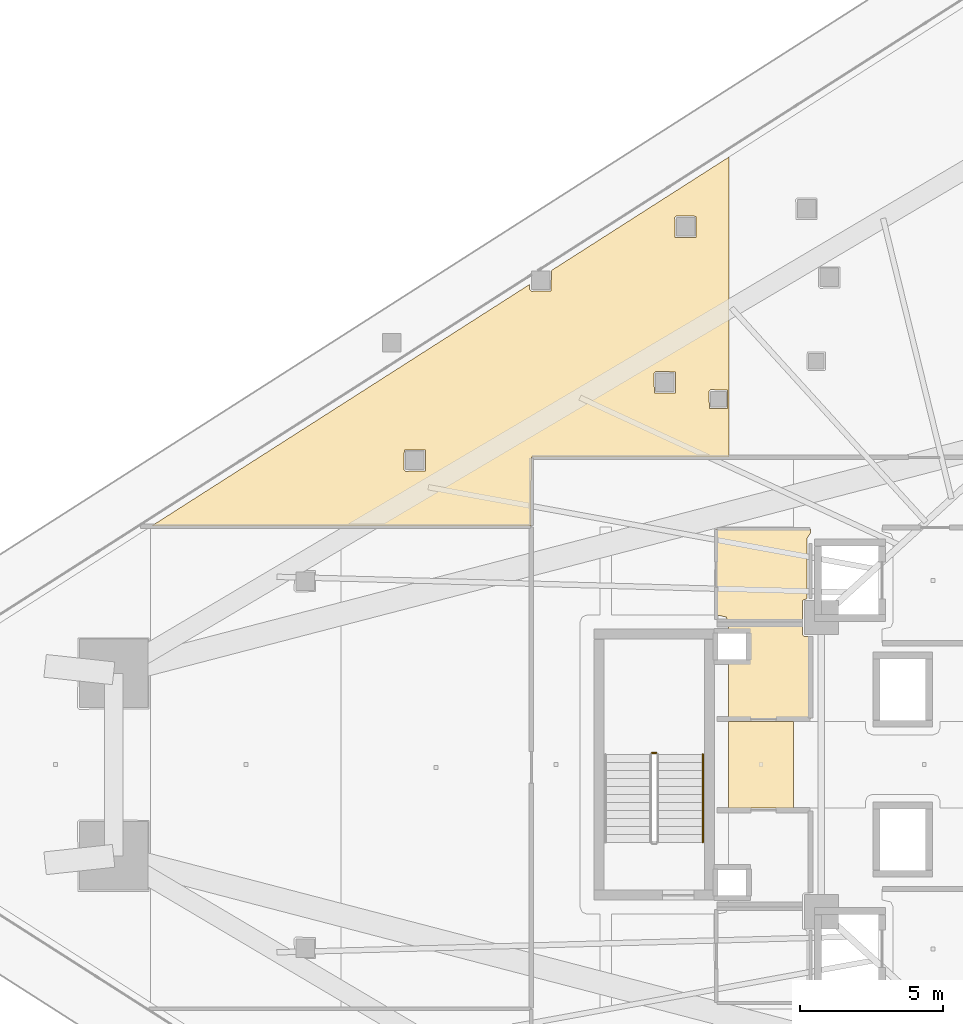
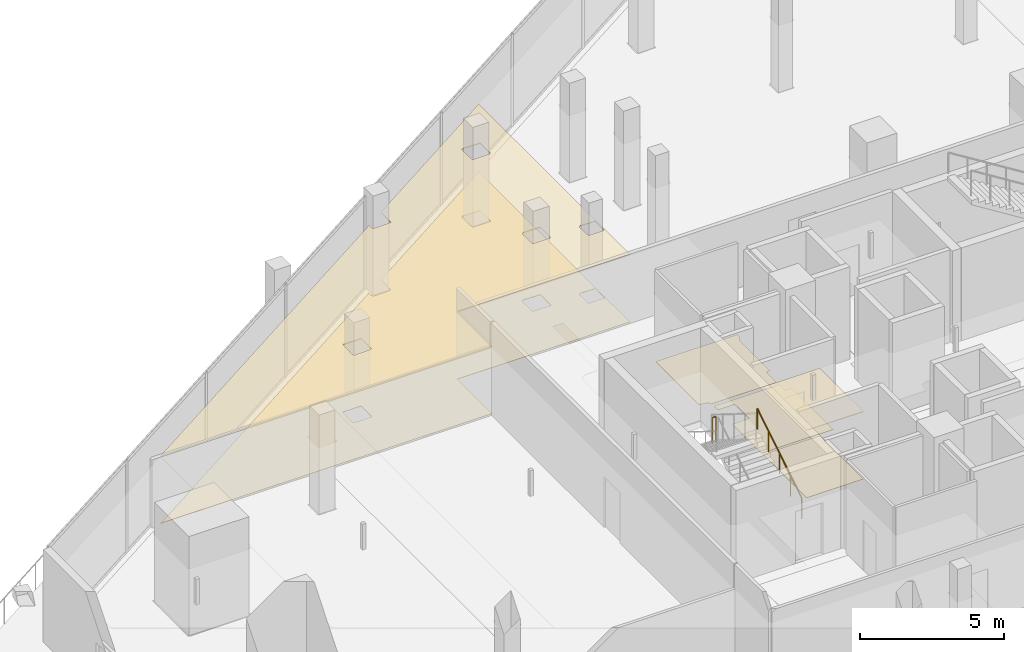
# One storey, part 39 of 42: 6 coverings, 2 railings.
"""IFC4 building model written with IfcOpenShell, lengths in metres."""

from ifc_helpers import new_model, si_unit, direction, frame, origin, origin_2d, place, context, subcontext, project, spatial, polyline, circle, outline, extrude, material, layer, layer_set, type_object, element, save


model = new_model("IFC4")

# Units and contexts
model_context = context("Model", 3, precision=1e-05, world=origin(), true_north=direction((0.0, 1.0)))
body_context = subcontext(model_context, "Body", "Model", "MODEL_VIEW")
ifc_project = project(units=[si_unit("LENGTHUNIT", "METRE"), si_unit("AREAUNIT", "SQUARE_METRE"), si_unit("VOLUMEUNIT", "CUBIC_METRE"), si_unit("PLANEANGLEUNIT", "RADIAN"), si_unit("MASSUNIT", "GRAM", prefix="KILO")], contexts=[model_context])

# Site, building, storey
site_placement = place(None, origin())
site = spatial("IfcSite", under=ifc_project, at=site_placement, CompositionType="ELEMENT")
building_placement = place(site_placement, origin())
building = spatial("IfcBuilding", under=site, at=building_placement, Name="Qorvath Tower", CompositionType="ELEMENT")
storey_placement = place(building_placement, frame((0.0, 0.0, 32.39990234375)))
storey = spatial("IfcBuildingStorey", under=building, at=storey_placement, Name="L06", CompositionType="ELEMENT", Elevation=32.39990234375)

# Coverings
ifc_material_1 = material(Name="Acoustic mineral fibre ceiling tile", Category="gypsum")
ifc_layer_1 = layer(ifc_material_1, 0.030029296875)
ifc_layer_set_1 = layer_set([ifc_layer_1], Name="COV-CEIL")
covering_type_1 = type_object("IfcCoveringType", Name="COV-CEIL", PredefinedType="CEILING", material=ifc_layer_set_1)
covering_1_placement = place(storey_placement, frame((0.0, 0.0, 2.85009765625)))
element("IfcCovering", 1, at=covering_1_placement, inside=storey, type_object=covering_type_1, Name="L06 Suspended Acoustic Ceiling 008", PredefinedType="CEILING", context=body_context, shape_type="SweptSolid", body=[
    extrude(outline(polyline([(-31.481689453125, -1.514892578125), (-31.481689453125, 1.514892578125), (-33.760009765625, 1.514892578125), (-33.760009765625, -1.514892578125), (-31.481689453125, -1.514892578125)])), origin(), (0.0, 0.0, 1.0), 0.030029296875),
])
covering_2_placement = place(storey_placement, frame((0.0, 0.0, 2.85009765625)))
element("IfcCovering", 2, at=covering_2_placement, inside=storey, type_object=covering_type_1, Name="L06 Suspended Acoustic Ceiling 010", PredefinedType="CEILING", context=body_context, shape_type="SweptSolid", body=[
    extrude(outline(polyline([(-33.744140625, 10.762939453125), (-33.744140625, 21.267578125), (-39.95458984375, 17.298095703125), (-39.965087890625, 16.58837890625), (-40.657470703125, 16.57080078125), (-40.717529296875, 16.630859375), (-40.717529296875, 16.810546875), (-53.947265625, 8.35498046875), (-40.6630859375, 8.35498046875), (-40.657958984375, 10.762939453125), (-33.744140625, 10.762939453125)]), holes=[polyline([(-34.439208984375, 13.0673828125), (-34.379150390625, 13.12744140625), (-33.786865234375, 13.10986328125), (-33.786865234375, 12.47509765625), (-34.421630859375, 12.47509765625), (-34.439208984375, 13.0673828125)]), polyline([(-35.63671875, 19.154296875), (-35.57666015625, 19.21435546875), (-34.88427734375, 19.19677734375), (-34.88427734375, 18.4619140625), (-35.619140625, 18.4619140625), (-35.63671875, 19.154296875)]), polyline([(-36.36572265625, 13.705810546875), (-36.3056640625, 13.765869140625), (-35.61328125, 13.748291015625), (-35.61328125, 13.013427734375), (-36.34814453125, 13.013427734375), (-36.36572265625, 13.705810546875)]), polyline([(-45.121337890625, 10.327392578125), (-45.103759765625, 11.019775390625), (-44.368896484375, 11.019775390625), (-44.368896484375, 10.284912109375), (-45.061279296875, 10.267333984375), (-45.121337890625, 10.327392578125)])]), origin(), (0.0, 0.0, 1.0), 0.030029296875),
])
ifc_material_2 = material(Name="Low-VOC modular carpet tile", Category="textile")
ifc_layer_2 = layer(ifc_material_2, 0.014892578125)
ifc_layer_set_2 = layer_set([ifc_layer_2], Name="COV-FLOOR-CPT")
covering_type_2 = type_object("IfcCoveringType", Name="COV-FLOOR-CPT", PredefinedType="FLOORING", material=ifc_layer_set_2)
covering_3_placement = place(storey_placement, origin())
element("IfcCovering", 3, at=covering_3_placement, inside=storey, type_object=covering_type_2, Name="L06 Floor Finish 004", PredefinedType="FLOORING", context=body_context, shape_type="SweptSolid", body=[
    extrude(outline(polyline([(-31.159912109375, 4.89501953125), (-33.760009765625, 4.89501953125), (-33.760009765625, 4.633056640625), (-33.08837890625, 4.631591796875), (-33.0869140625, 3.64208984375), (-33.760009765625, 3.636962890625), (-33.760009765625, 1.60498046875), (-30.885009765625, 1.60498046875), (-30.885009765625, 4.489990234375), (-31.10009765625, 4.489990234375), (-31.159912109375, 4.550048828125), (-31.159912109375, 4.89501953125)])), origin(), (0.0, 0.0, 1.0), 0.01513671875),
])
covering_4_placement = place(storey_placement, origin())
element("IfcCovering", 4, at=covering_4_placement, inside=storey, type_object=covering_type_2, Name="L06 Floor Finish 010", PredefinedType="FLOORING", context=body_context, shape_type="SweptSolid", body=[
    extrude(outline(polyline([(-33.744140625, 10.762939453125), (-33.744140625, 21.267578125), (-39.95458984375, 17.298095703125), (-39.965087890625, 16.58837890625), (-40.657470703125, 16.57080078125), (-40.717529296875, 16.630859375), (-40.717529296875, 16.810546875), (-53.947265625, 8.35498046875), (-40.6630859375, 8.35498046875), (-40.657958984375, 10.762939453125), (-33.744140625, 10.762939453125)]), holes=[polyline([(-34.439208984375, 13.0673828125), (-34.379150390625, 13.12744140625), (-33.786865234375, 13.10986328125), (-33.786865234375, 12.47509765625), (-34.421630859375, 12.47509765625), (-34.439208984375, 13.0673828125)]), polyline([(-35.63671875, 19.154296875), (-35.57666015625, 19.21435546875), (-34.88427734375, 19.19677734375), (-34.88427734375, 18.4619140625), (-35.619140625, 18.4619140625), (-35.63671875, 19.154296875)]), polyline([(-36.36572265625, 13.705810546875), (-36.3056640625, 13.765869140625), (-35.61328125, 13.748291015625), (-35.61328125, 13.013427734375), (-36.34814453125, 13.013427734375), (-36.36572265625, 13.705810546875)]), polyline([(-45.121337890625, 10.327392578125), (-45.103759765625, 11.019775390625), (-44.368896484375, 11.019775390625), (-44.368896484375, 10.284912109375), (-45.061279296875, 10.267333984375), (-45.121337890625, 10.327392578125)])]), origin(), (0.0, 0.0, 1.0), 0.01513671875),
])
ifc_material_3 = material(Name="Polished epoxy terrazzo flooring", Category="concrete")
ifc_layer_3 = layer(ifc_material_3, 0.02001953125)
ifc_layer_set_3 = layer_set([ifc_layer_3], Name="COV-FLOOR-TRZ")
covering_type_3 = type_object("IfcCoveringType", Name="COV-FLOOR-TRZ", PredefinedType="FLOORING", material=ifc_layer_set_3)
covering_5_placement = place(storey_placement, origin())
element("IfcCovering", 5, at=covering_5_placement, inside=storey, type_object=covering_type_3, Name="L06 Floor Finish 003", PredefinedType="FLOORING", context=body_context, shape_type="SweptSolid", body=[
    extrude(outline(polyline([(-31.010009765625, 7.909912109375), (-30.885009765625, 8.108154296875), (-30.885009765625, 8.2451171875), (-34.175048828125, 8.2451171875), (-34.175048828125, 5.239990234375), (-33.833251953125, 5.166748046875), (-33.786865234375, 5.054931640625), (-31.159912109375, 5.054931640625), (-31.159912109375, 5.75), (-31.010009765625, 5.81005859375), (-31.010009765625, 7.909912109375)])), origin(), (0.0, 0.0, 1.0), 0.01513671875),
])
covering_6_placement = place(storey_placement, origin())
element("IfcCovering", 6, at=covering_6_placement, inside=storey, type_object=covering_type_3, Name="L06 Floor Finish 008", PredefinedType="FLOORING", context=body_context, shape_type="SweptSolid", body=[
    extrude(outline(polyline([(-31.481689453125, -1.514892578125), (-31.481689453125, 1.514892578125), (-33.760009765625, 1.514892578125), (-33.760009765625, -1.514892578125), (-31.481689453125, -1.514892578125)])), origin(), (0.0, 0.0, 1.0), 0.01513671875),
])

# Railings
ifc_material_4 = material(Name="Painted galvanised steel", Category="steel")
railing_type_1 = type_object("IfcRailingType", Name="RL-STR-GRD", PredefinedType="GUARDRAIL", material=ifc_material_4)
railing_1_placement = place(storey_placement, frame((-36.280029296875, 0.409912109375, 2.10009765625)))
element("IfcRailing", 7, at=railing_1_placement, inside=storey, type_object=railing_type_1, Name="L06 TS3 stair guard 2", PredefinedType="GUARDRAIL", context=body_context, shape_type="SweptSolid", body=[
    extrude(circle(Radius=0.02392578125, at=origin_2d()), frame((0.0, 0.0, 1.076171875), z_axis=(-1.0, 0.0, 0.0), x_axis=(0.0, -1.0, 0.0)), (0.0, 0.0, 1.0), 0.14990234375),
    extrude(circle(Radius=0.02099609375, at=origin_2d()), origin(), (0.0, 0.0, 1.0), 1.052001953125),
    extrude(circle(Radius=0.02099609375, at=origin_2d()), frame((-0.14990234375, 0.0, 0.0)), (0.0, 0.0, 1.0), 1.052001953125),
])
ifc_material_5 = material(Name="Brushed stainless steel AISI 304", Category="steel")
railing_type_2 = type_object("IfcRailingType", Name="RL-STR-HND", PredefinedType="HANDRAIL", material=ifc_material_5)
railing_2_placement = place(storey_placement, frame((-34.64990234375, -2.719970703125, 0.175048828125)))
element("IfcRailing", 8, at=railing_2_placement, inside=storey, type_object=railing_type_2, Name="L06 TS3 stair handrail 1", PredefinedType="HANDRAIL", context=body_context, shape_type="SweptSolid", body=[
    extrude(circle(Radius=0.02392578125, at=origin_2d()), frame((0.0, 0.0, 0.8759765625), z_axis=(0.0, 0.847998304005, 0.529998940003), x_axis=(-1.0, 0.0, 0.0)), (0.0, 0.0, 1.0), 3.632080078125),
    extrude(circle(Radius=0.02099609375, at=origin_2d()), origin(), (0.0, 0.0, 1.0), 0.851806640625),
    extrude(circle(Radius=0.02099609375, at=origin_2d()), frame((0.0, 0.77001953125, 0.481201171875)), (0.0, 0.0, 1.0), 0.851806640625),
    extrude(circle(Radius=0.02099609375, at=origin_2d()), frame((0.0, 1.5400390625, 0.96240234375)), (0.0, 0.0, 1.0), 0.851806640625),
    extrude(circle(Radius=0.02099609375, at=origin_2d()), frame((0.0, 2.31005859375, 1.44384765625)), (0.0, 0.0, 1.0), 0.851806640625),
    extrude(circle(Radius=0.02099609375, at=origin_2d()), frame((0.0, 3.080078125, 1.925048828125)), (0.0, 0.0, 1.0), 0.851806640625),
])

save(model, "model.ifc")
